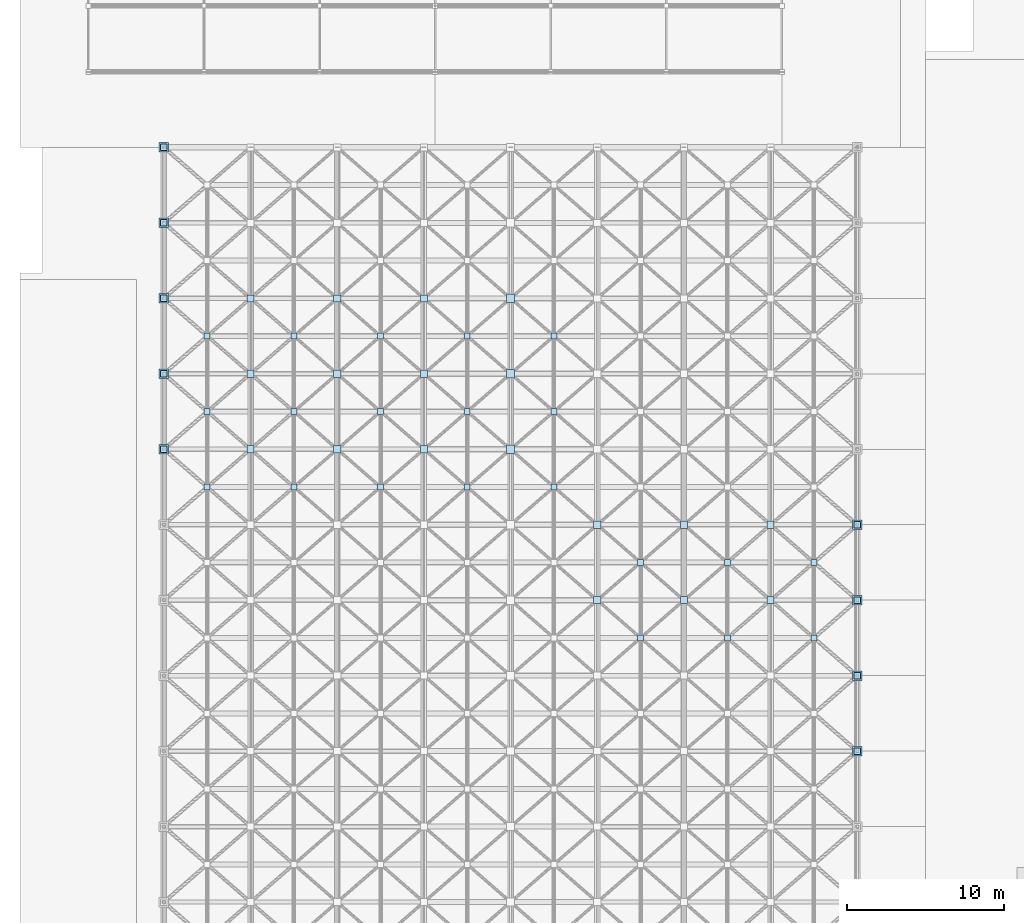
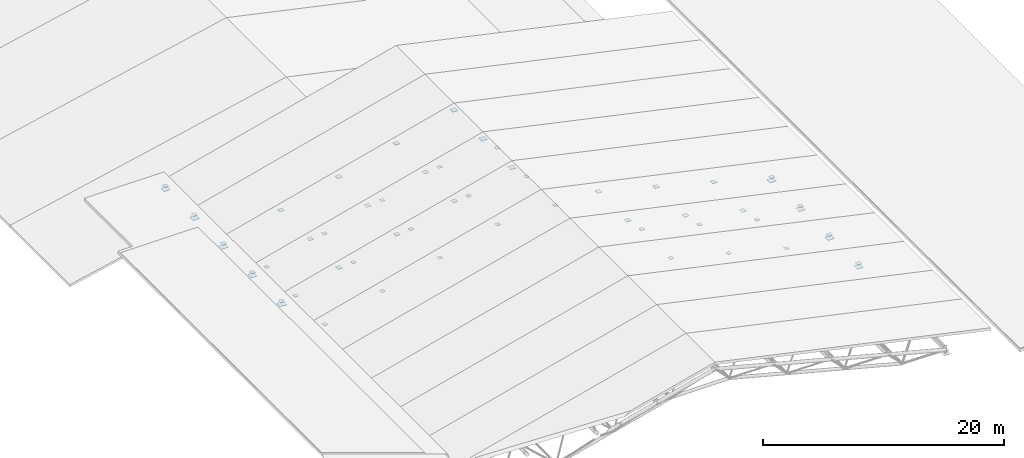
# One storey, part 47 of 60: 57 plates.
"""IFC4 building model written with IfcOpenShell, lengths in metres."""

from ifc_helpers import new_model, si_unit, direction, frame, origin, origin_2d, place, context, subcontext, project, spatial, rectangle, extrude, material, type_object, element, save


model = new_model("IFC4")

# Units and contexts
model_context = context("Model", 3, precision=1e-05, world=origin(), true_north=direction((0.0, 1.0)))
body_context = subcontext(model_context, "Body", "Model", "MODEL_VIEW")
ifc_project = project(units=[si_unit("LENGTHUNIT", "METRE"), si_unit("AREAUNIT", "SQUARE_METRE"), si_unit("VOLUMEUNIT", "CUBIC_METRE"), si_unit("PLANEANGLEUNIT", "RADIAN"), si_unit("MASSUNIT", "GRAM", prefix="KILO")], contexts=[model_context])

# Site, building, storey
site_placement = place(None, origin())
site = spatial("IfcSite", under=ifc_project, at=site_placement, CompositionType="ELEMENT")
building_placement = place(site_placement, origin())
building = spatial("IfcBuilding", under=site, at=building_placement, Name="Nakhvara Creek Congress Hotel", CompositionType="ELEMENT")
storey_placement = place(building_placement, frame((0.0, 0.0, 54.60009765625)))
storey = spatial("IfcBuildingStorey", under=building, at=storey_placement, Name="RL1", CompositionType="ELEMENT", Elevation=54.60009765625)

# Plates
ifc_material = material(Name="Steel S355J2", Category="steel")
plate_type_1 = type_object("IfcPlateType", Name="PLT-BASE-600X600X35", PredefinedType="USERDEFINED", material=ifc_material)
for number, where, z_axis, x_axis, name in (
    (1, (53.25, 48.0, -35.39990234375), (0.0, 0.0, 1.0), (1.0, 0.0, 0.0), "Space-Frame Bearing Shoe SN04-036"),
    (2, (53.25, 52.800048828125, -35.39990234375), (0.0, 0.0, 1.0), (1.0, 0.0, 0.0), "Space-Frame Bearing Shoe SN04-045"),
    (3, (53.25, 57.60009765625, -35.39990234375), (0.0, 0.0, 1.0), (1.0, 0.0, 0.0), "Space-Frame Bearing Shoe SN04-054"),
    (4, (53.25, 62.39990234375, -35.39990234375), (0.0, 0.0, 1.0), (1.0, 0.0, 0.0), "Space-Frame Bearing Shoe SN04-063"),
    (5, (9.14990234375, 67.199951171875, -35.39990234375), (0.0, 0.0, 1.0), (1.0, 0.0, 0.0), "Space-Frame Bearing Shoe SN04-064"),
    (6, (9.14990234375, 72.0, -35.39990234375), (0.0, 0.0, 1.0), (1.0, 0.0, 0.0), "Space-Frame Bearing Shoe SN04-073"),
    (7, (9.14990234375, 76.800048828125, -35.39990234375), (0.0, 0.0, 1.0), (1.0, 0.0, 0.0), "Space-Frame Bearing Shoe SN04-082"),
    (8, (9.14990234375, 81.60009765625, -35.39990234375), (0.0, 0.0, 1.0), (1.0, 0.0, 0.0), "Space-Frame Bearing Shoe SN04-091"),
    (9, (9.14990234375, 86.39990234375, -35.39990234375), (0.0, 0.0, 1.0), (1.0, 0.0, 0.0), "Space-Frame Bearing Shoe SN04-100"),
):
    element("IfcPlate", number, at=place(storey_placement, frame(where, z_axis=z_axis, x_axis=x_axis)), inside=storey, type_object=plate_type_1, Name=name, ObjectType="GUSSET_PLATE", PredefinedType="USERDEFINED", context=body_context, shape_type="SweptSolid", body=[
        extrude(rectangle(XDim=0.60009765625, YDim=0.60009765625, at=origin_2d()), origin(), (0.0, 0.0, 1.0), 0.034912109375),
    ])
plate_type_2 = type_object("IfcPlateType", Name="PLT-NODE-380X380X24", PredefinedType="USERDEFINED", material=ifc_material)
for number, where, z_axis, x_axis, name in (
    (10, (39.46875, 55.199951171875, -34.06201171875), (0.0, 0.0, 1.0), (1.0, 0.0, 0.0), "Congress Roof Truss Bottom Node Plate SN-146"),
    (11, (44.981201171875, 55.199951171875, -35.501953125), (0.0, 0.0, 1.0), (1.0, 0.0, 0.0), "Congress Roof Truss Bottom Node Plate SN-147"),
    (12, (50.49365234375, 55.199951171875, -36.942138671875), (0.0, 0.0, 1.0), (1.0, 0.0, 0.0), "Congress Roof Truss Bottom Node Plate SN-148"),
    (13, (39.46875, 60.0, -34.06201171875), (0.0, 0.0, 1.0), (1.0, 0.0, 0.0), "Congress Roof Truss Bottom Node Plate SN-154"),
    (14, (44.981201171875, 60.0, -35.501953125), (0.0, 0.0, 1.0), (1.0, 0.0, 0.0), "Congress Roof Truss Bottom Node Plate SN-155"),
    (15, (50.49365234375, 60.0, -36.942138671875), (0.0, 0.0, 1.0), (1.0, 0.0, 0.0), "Congress Roof Truss Bottom Node Plate SN-156"),
    (16, (11.90625, 64.800048828125, -36.942138671875), (0.0, 0.0, 1.0), (1.0, 0.0, 0.0), "Congress Roof Truss Bottom Node Plate SN-157"),
    (17, (17.418701171875, 64.800048828125, -35.501953125), (0.0, 0.0, 1.0), (1.0, 0.0, 0.0), "Congress Roof Truss Bottom Node Plate SN-158"),
    (18, (22.93115234375, 64.800048828125, -34.06201171875), (0.0, 0.0, 1.0), (1.0, 0.0, 0.0), "Congress Roof Truss Bottom Node Plate SN-159"),
    (19, (28.44384765625, 64.800048828125, -32.6220703125), (0.0, 0.0, 1.0), (1.0, 0.0, 0.0), "Congress Roof Truss Bottom Node Plate SN-160"),
    (20, (33.956298828125, 64.800048828125, -32.6220703125), (0.0, 0.0, 1.0), (1.0, 0.0, 0.0), "Congress Roof Truss Bottom Node Plate SN-161"),
    (21, (11.90625, 69.60009765625, -36.942138671875), (0.0, 0.0, 1.0), (1.0, 0.0, 0.0), "Congress Roof Truss Bottom Node Plate SN-165"),
    (22, (17.418701171875, 69.60009765625, -35.501953125), (0.0, 0.0, 1.0), (1.0, 0.0, 0.0), "Congress Roof Truss Bottom Node Plate SN-166"),
    (23, (22.93115234375, 69.60009765625, -34.06201171875), (0.0, 0.0, 1.0), (1.0, 0.0, 0.0), "Congress Roof Truss Bottom Node Plate SN-167"),
    (24, (28.44384765625, 69.60009765625, -32.6220703125), (0.0, 0.0, 1.0), (1.0, 0.0, 0.0), "Congress Roof Truss Bottom Node Plate SN-168"),
    (25, (33.956298828125, 69.60009765625, -32.6220703125), (0.0, 0.0, 1.0), (1.0, 0.0, 0.0), "Congress Roof Truss Bottom Node Plate SN-169"),
    (26, (11.90625, 74.39990234375, -36.942138671875), (0.0, 0.0, 1.0), (1.0, 0.0, 0.0), "Congress Roof Truss Bottom Node Plate SN-173"),
    (27, (17.418701171875, 74.39990234375, -35.501953125), (0.0, 0.0, 1.0), (1.0, 0.0, 0.0), "Congress Roof Truss Bottom Node Plate SN-174"),
    (28, (22.93115234375, 74.39990234375, -34.06201171875), (0.0, 0.0, 1.0), (1.0, 0.0, 0.0), "Congress Roof Truss Bottom Node Plate SN-175"),
    (29, (28.44384765625, 74.39990234375, -32.6220703125), (0.0, 0.0, 1.0), (1.0, 0.0, 0.0), "Congress Roof Truss Bottom Node Plate SN-176"),
    (30, (33.956298828125, 74.39990234375, -32.6220703125), (0.0, 0.0, 1.0), (1.0, 0.0, 0.0), "Congress Roof Truss Bottom Node Plate SN-177"),
):
    element("IfcPlate", number, at=place(storey_placement, frame(where, z_axis=z_axis, x_axis=x_axis)), inside=storey, type_object=plate_type_2, Name=name, ObjectType="GUSSET_PLATE", PredefinedType="USERDEFINED", context=body_context, shape_type="SweptSolid", body=[
        extrude(rectangle(XDim=0.3798828125, YDim=0.3798828125, at=origin_2d()), origin(), (0.0, 0.0, 1.0), 0.02392578125),
    ])
plate_type_3 = type_object("IfcPlateType", Name="PLT-NODE-410X410X26", PredefinedType="USERDEFINED", material=ifc_material)
for number, where, z_axis, x_axis, name in (
    (31, (53.25, 48.0, -35.06298828125), (0.0, 0.0, 1.0), (1.0, 0.0, 0.0), "Congress Roof Truss Node Plate SN-036"),
    (32, (53.25, 52.800048828125, -35.06298828125), (0.0, 0.0, 1.0), (1.0, 0.0, 0.0), "Congress Roof Truss Node Plate SN-045"),
    (33, (53.25, 57.60009765625, -35.06298828125), (0.0, 0.0, 1.0), (1.0, 0.0, 0.0), "Congress Roof Truss Node Plate SN-054"),
    (34, (53.25, 62.39990234375, -35.06298828125), (0.0, 0.0, 1.0), (1.0, 0.0, 0.0), "Congress Roof Truss Node Plate SN-063"),
    (35, (9.14990234375, 67.199951171875, -35.06298828125), (0.0, 0.0, 1.0), (1.0, 0.0, 0.0), "Congress Roof Truss Node Plate SN-064"),
    (36, (9.14990234375, 72.0, -35.06298828125), (0.0, 0.0, 1.0), (1.0, 0.0, 0.0), "Congress Roof Truss Node Plate SN-073"),
    (37, (9.14990234375, 76.800048828125, -35.06298828125), (0.0, 0.0, 1.0), (1.0, 0.0, 0.0), "Congress Roof Truss Node Plate SN-082"),
    (38, (9.14990234375, 81.60009765625, -35.06298828125), (0.0, 0.0, 1.0), (1.0, 0.0, 0.0), "Congress Roof Truss Node Plate SN-091"),
    (39, (9.14990234375, 86.39990234375, -35.06298828125), (0.0, 0.0, 1.0), (1.0, 0.0, 0.0), "Congress Roof Truss Node Plate SN-100"),
):
    element("IfcPlate", number, at=place(storey_placement, frame(where, z_axis=z_axis, x_axis=x_axis)), inside=storey, type_object=plate_type_3, Name=name, ObjectType="GUSSET_PLATE", PredefinedType="USERDEFINED", context=body_context, shape_type="SweptSolid", body=[
        extrude(rectangle(XDim=0.409912109375, YDim=0.409912109375, at=origin_2d()), origin(), (0.0, 0.0, 1.0), 0.02587890625),
    ])
plate_type_4 = type_object("IfcPlateType", Name="PLT-NODE-450X450X28", PredefinedType="USERDEFINED", material=ifc_material)
for number, where, z_axis, x_axis, name in (
    (40, (36.71240234375, 57.60009765625, -30.744140625), (0.0, 0.0, 1.0), (1.0, 0.0, 0.0), "Congress Roof Truss Node Plate SN-051"),
    (41, (42.22509765625, 57.60009765625, -32.18408203125), (0.0, 0.0, 1.0), (1.0, 0.0, 0.0), "Congress Roof Truss Node Plate SN-052"),
    (42, (47.737548828125, 57.60009765625, -33.6240234375), (0.0, 0.0, 1.0), (1.0, 0.0, 0.0), "Congress Roof Truss Node Plate SN-053"),
    (43, (36.71240234375, 62.39990234375, -30.744140625), (0.0, 0.0, 1.0), (1.0, 0.0, 0.0), "Congress Roof Truss Node Plate SN-060"),
    (44, (42.22509765625, 62.39990234375, -32.18408203125), (0.0, 0.0, 1.0), (1.0, 0.0, 0.0), "Congress Roof Truss Node Plate SN-061"),
    (45, (47.737548828125, 62.39990234375, -33.6240234375), (0.0, 0.0, 1.0), (1.0, 0.0, 0.0), "Congress Roof Truss Node Plate SN-062"),
    (46, (14.66259765625, 67.199951171875, -33.6240234375), (0.0, 0.0, 1.0), (1.0, 0.0, 0.0), "Congress Roof Truss Node Plate SN-065"),
    (47, (20.175048828125, 67.199951171875, -32.18408203125), (0.0, 0.0, 1.0), (1.0, 0.0, 0.0), "Congress Roof Truss Node Plate SN-066"),
    (48, (25.6875, 67.199951171875, -30.744140625), (0.0, 0.0, 1.0), (1.0, 0.0, 0.0), "Congress Roof Truss Node Plate SN-067"),
    (49, (14.66259765625, 72.0, -33.6240234375), (0.0, 0.0, 1.0), (1.0, 0.0, 0.0), "Congress Roof Truss Node Plate SN-074"),
    (50, (20.175048828125, 72.0, -32.18408203125), (0.0, 0.0, 1.0), (1.0, 0.0, 0.0), "Congress Roof Truss Node Plate SN-075"),
    (51, (25.6875, 72.0, -30.744140625), (0.0, 0.0, 1.0), (1.0, 0.0, 0.0), "Congress Roof Truss Node Plate SN-076"),
    (52, (14.66259765625, 76.800048828125, -33.6240234375), (0.0, 0.0, 1.0), (1.0, 0.0, 0.0), "Congress Roof Truss Node Plate SN-083"),
    (53, (20.175048828125, 76.800048828125, -32.18408203125), (0.0, 0.0, 1.0), (1.0, 0.0, 0.0), "Congress Roof Truss Node Plate SN-084"),
    (54, (25.6875, 76.800048828125, -30.744140625), (0.0, 0.0, 1.0), (1.0, 0.0, 0.0), "Congress Roof Truss Node Plate SN-085"),
):
    element("IfcPlate", number, at=place(storey_placement, frame(where, z_axis=z_axis, x_axis=x_axis)), inside=storey, type_object=plate_type_4, Name=name, ObjectType="GUSSET_PLATE", PredefinedType="USERDEFINED", context=body_context, shape_type="SweptSolid", body=[
        extrude(rectangle(XDim=0.449951171875, YDim=0.449951171875, at=origin_2d()), origin(), (0.0, 0.0, 1.0), 0.028076171875),
    ])
plate_type_5 = type_object("IfcPlateType", Name="PLT-NODE-520X520X32", PredefinedType="USERDEFINED", material=ifc_material)
for number, where, z_axis, x_axis, name in (
    (55, (31.199951171875, 67.199951171875, -29.30615234375), (0.0, 0.0, 1.0), (1.0, 0.0, 0.0), "Congress Roof Truss Node Plate SN-068"),
    (56, (31.199951171875, 72.0, -29.30615234375), (0.0, 0.0, 1.0), (1.0, 0.0, 0.0), "Congress Roof Truss Node Plate SN-077"),
    (57, (31.199951171875, 76.800048828125, -29.30615234375), (0.0, 0.0, 1.0), (1.0, 0.0, 0.0), "Congress Roof Truss Node Plate SN-086"),
):
    element("IfcPlate", number, at=place(storey_placement, frame(where, z_axis=z_axis, x_axis=x_axis)), inside=storey, type_object=plate_type_5, Name=name, ObjectType="GUSSET_PLATE", PredefinedType="USERDEFINED", context=body_context, shape_type="SweptSolid", body=[
        extrude(rectangle(XDim=0.52001953125, YDim=0.52001953125, at=origin_2d()), origin(), (0.0, 0.0, 1.0), 0.031982421875),
    ])

save(model, "model.ifc")
